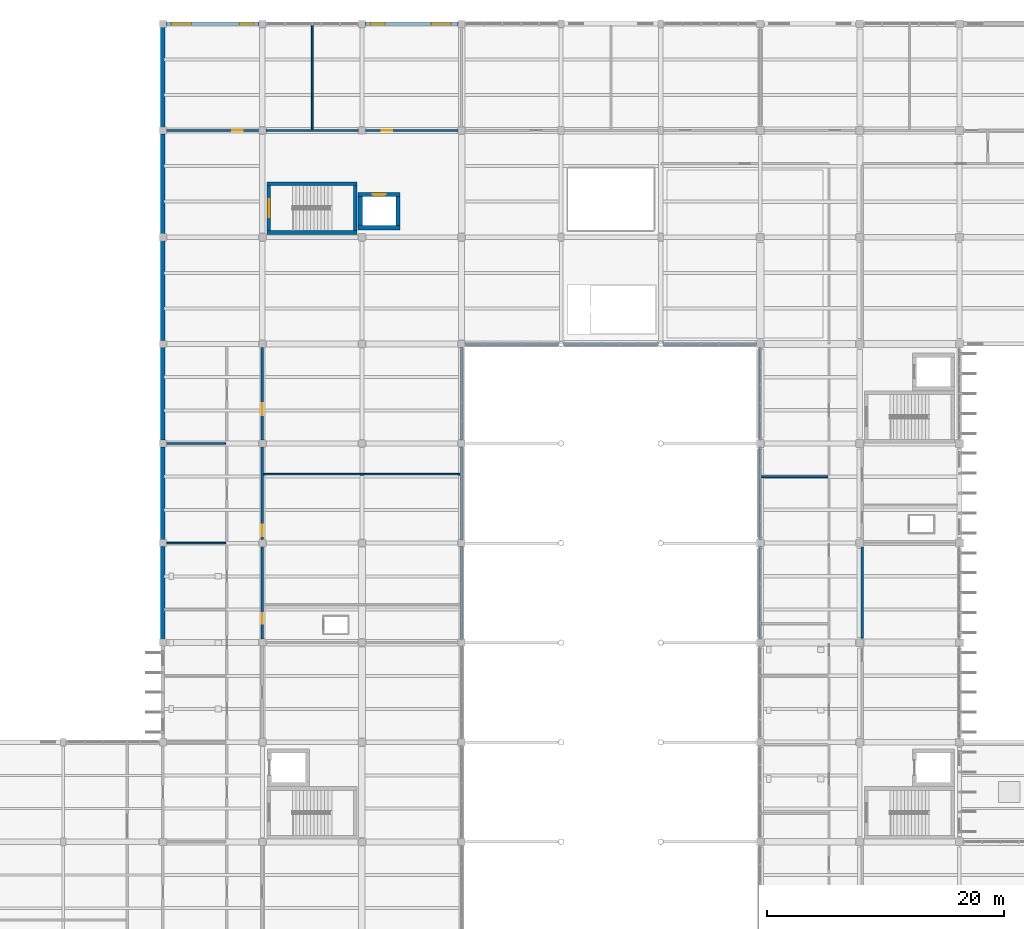
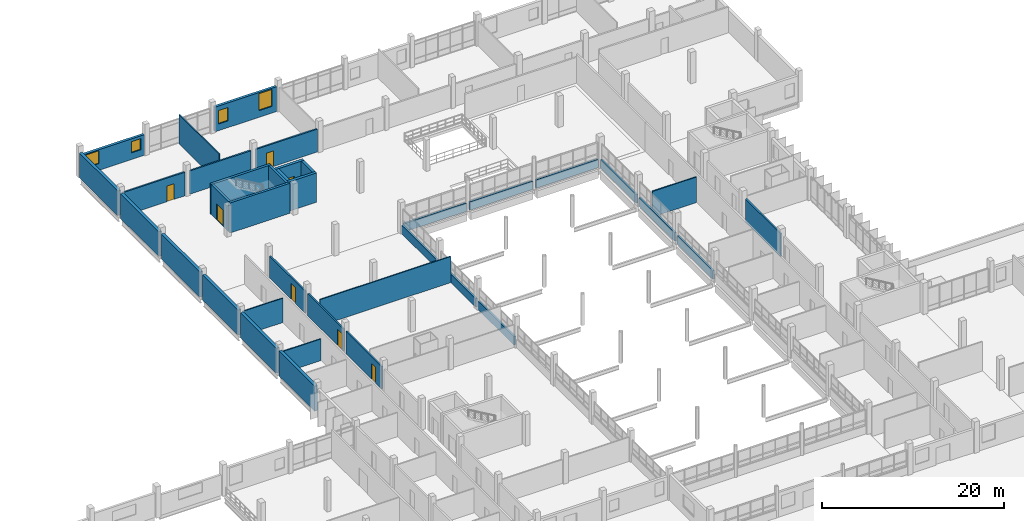
# One storey, part 88 of 101: 37 walls, 7 doors, 4 windows, 11 openings.
"""IFC4 building model written with IfcOpenShell, lengths in metres."""

from ifc_helpers import new_model, si_unit, direction, frame, frame_2d, origin, place, context, subcontext, project, spatial, rectangle, extrude, material, layer, layer_set, type_object, element, fill, save


model = new_model("IFC4")

# Units and contexts
model_context = context("Model", 3, precision=1e-05, world=origin(), true_north=direction((0.0, 1.0)))
body_context = subcontext(model_context, "Body", "Model", "MODEL_VIEW")
ifc_project = project(units=[si_unit("LENGTHUNIT", "METRE"), si_unit("AREAUNIT", "SQUARE_METRE"), si_unit("VOLUMEUNIT", "CUBIC_METRE"), si_unit("PLANEANGLEUNIT", "RADIAN"), si_unit("MASSUNIT", "GRAM", prefix="KILO")], contexts=[model_context])

# Site, building, storey
site_placement = place(None, origin())
site = spatial("IfcSite", under=ifc_project, at=site_placement, CompositionType="ELEMENT")
building_placement = place(site_placement, origin())
building = spatial("IfcBuilding", under=site, at=building_placement, Name="Vireocrest Preparatory School", CompositionType="ELEMENT")
storey_placement = place(building_placement, frame((0.0, 0.0, 4.800048828125)))
storey = spatial("IfcBuildingStorey", under=building, at=storey_placement, Name="L01", CompositionType="ELEMENT", Elevation=4.800048828125)

# Walls
ifc_material_1 = material(Name="Gypsum board on cold-formed steel studs", Category="steel")
ifc_layer_1 = layer(ifc_material_1, 0.139892578125)
ifc_layer_set_1 = layer_set([ifc_layer_1], Name="Gypsum board on cold-formed steel studs")
wall_type_1 = type_object("IfcWallType", Name="Classroom Acoustic Partition Wall 140", PredefinedType="PARTITIONING", material=ifc_layer_set_1)
wall_1_placement = place(storey_placement, frame((42.195068359375, 69.0, 0.0), z_axis=(0.0, 0.0, 1.0), x_axis=(1.0, 0.0, 0.0)))
element("IfcWall", 1, at=wall_1_placement, inside=storey, type_object=wall_type_1, Name="Interior Partition W03 IW_L01_0129", PredefinedType="PARTITIONING", context=body_context, shape_type="SweptSolid", body=[
    extrude(rectangle(XDim=5.099853515625, YDim=0.139892578125, at=frame_2d((2.5498046875, 0.0))), origin(), (0.0, 0.0, 1.0), 2.909912109375),
])
wall_2_placement = place(storey_placement, frame((42.195068359375, 77.39990234375, 0.0), z_axis=(0.0, 0.0, 1.0), x_axis=(1.0, 0.0, 0.0)))
element("IfcWall", 2, at=wall_2_placement, inside=storey, type_object=wall_type_1, Name="Interior Partition W03 IW_L01_0130", PredefinedType="PARTITIONING", context=body_context, shape_type="SweptSolid", body=[
    extrude(rectangle(XDim=5.099853515625, YDim=0.139892578125, at=frame_2d((2.5498046875, 0.0))), origin(), (0.0, 0.0, 1.0), 3.260009765625),
])
wall_3_placement = place(storey_placement, frame((50.5048828125, 74.800048828125, 0.0), z_axis=(0.0, 0.0, 1.0), x_axis=(1.0, 0.0, 0.0)))
element("IfcWall", 3, at=wall_3_placement, inside=storey, type_object=wall_type_1, Name="Interior Partition W03 IW_L01_0142", PredefinedType="PARTITIONING", context=body_context, shape_type="SweptSolid", body=[
    extrude(rectangle(XDim=16.570068359375, YDim=0.139892578125, at=frame_2d((8.28515625, 0.0))), origin(), (0.0, 0.0, 1.0), 3.510009765625),
])
wall_4_placement = place(storey_placement, frame((54.60009765625, 103.905029296875, 0.0), z_axis=(0.0, 0.0, 1.0), x_axis=(0.0, 1.0, 0.0)))
element("IfcWall", 4, at=wall_4_placement, inside=storey, type_object=wall_type_1, Name="Interior Partition W03 IW_L01_0148", PredefinedType="PARTITIONING", context=body_context, shape_type="SweptSolid", body=[
    extrude(rectangle(XDim=8.7900390625, YDim=0.139892578125, at=frame_2d((4.39501953125, 0.0))), origin(), (0.0, 0.0, 1.0), 3.89990234375),
])

# Wall, opening, door
ifc_layer_2 = layer(ifc_material_1, 0.199951171875)
ifc_layer_set_2 = layer_set([ifc_layer_2], Name="Gypsum board on cold-formed steel studs")
wall_type_2 = type_object("IfcWallType", Name="Corridor One-Hour Fire Partition 200", PredefinedType="PARTITIONING", material=ifc_layer_set_2)
wall_5_placement = place(storey_placement, frame((50.39990234375, 60.909912109375, 0.0), z_axis=(0.0, 0.0, 1.0), x_axis=(0.0, 1.0, 0.0)))
wall_5 = element("IfcWall", 5, at=wall_5_placement, inside=storey, type_object=wall_type_2, Name="Interior Partition W06 IW_L01_0144", PredefinedType="PARTITIONING", context=body_context, shape_type="SweptSolid", body=[
    extrude(rectangle(XDim=7.780029296875, YDim=0.199951171875, at=frame_2d((3.89013671875, 0.0))), origin(), (0.0, 0.0, 1.0), 3.010009765625),
])
opening_1_placement = place(wall_5_placement, frame((1.2900390625, 0.0, 0.0)))
opening_1 = element("IfcOpeningElement", 6, at=opening_1_placement, cuts=wall_5, Name="Opening D-L01-W1EN02", PredefinedType="OPENING", context=body_context, shape_type="SweptSolid", body=[
    extrude(rectangle(XDim=0.89990234375, YDim=2.10009765625, at=frame_2d((0.449951171875, 1.050048828125))), frame((0.0, 0.10986328125, 0.0), z_axis=(0.0, -1.0, 0.0), x_axis=(1.0, 0.0, 0.0)), (0.0, 0.0, 1.0), 0.219970703125),
])
ifc_material_2 = material(Name="Solid-core architectural birch timber", Category="wood")
door_type_1 = type_object("IfcDoorType", Name="Office Timber Door 900x2100", OperationType="NOTDEFINED", PredefinedType="DOOR", material=ifc_material_2)
door_1_placement = place(opening_1_placement, origin())
door_1 = element("IfcDoor", 7, at=door_1_placement, inside=storey, type_object=door_type_1, Name="Interior Door D-L01-W1EN02", OperationType="SINGLE_SWING_RIGHT", OverallHeight=2.10009765625, OverallWidth=0.89990234375, PredefinedType="DOOR", context=body_context, shape_type="SweptSolid", body=[
    extrude(rectangle(XDim=0.89990234375, YDim=2.10009765625, at=frame_2d((0.449951171875, 1.050048828125))), frame((0.0, 0.02490234375, 0.0), z_axis=(0.0, -1.0, 0.0), x_axis=(1.0, 0.0, 0.0)), (0.0, 0.0, 1.0), 0.050048828125),
])
fill(opening_1, door_1)

wall_6_placement = place(storey_placement, frame((50.39990234375, 69.31005859375, 0.0), z_axis=(0.0, 0.0, 1.0), x_axis=(0.0, 1.0, 0.0)))
wall_6 = element("IfcWall", 8, at=wall_6_placement, inside=storey, type_object=wall_type_2, Name="Interior Partition W06 IW_L01_0145", PredefinedType="PARTITIONING", context=body_context, shape_type="SweptSolid", body=[
    extrude(rectangle(XDim=7.780029296875, YDim=0.199951171875, at=frame_2d((3.89013671875, 0.0))), origin(), (0.0, 0.0, 1.0), 2.9599609375),
])
opening_2_placement = place(wall_6_placement, frame((0.25, 0.0, 0.0)))
opening_2 = element("IfcOpeningElement", 9, at=opening_2_placement, cuts=wall_6, Name="Opening D-L01-W1EN03", PredefinedType="OPENING", context=body_context, shape_type="SweptSolid", body=[
    extrude(rectangle(XDim=1.0, YDim=2.14990234375, at=frame_2d((0.5, 1.074951171875))), frame((0.0, 0.10986328125, 0.0), z_axis=(0.0, -1.0, 0.0), x_axis=(1.0, 0.0, 0.0)), (0.0, 0.0, 1.0), 0.219970703125),
])
door_type_2 = type_object("IfcDoorType", Name="Classroom Acoustic Timber Door 1000x2150", OperationType="NOTDEFINED", PredefinedType="DOOR", material=ifc_material_2)
door_2_placement = place(opening_2_placement, origin())
door_2 = element("IfcDoor", 10, at=door_2_placement, inside=storey, type_object=door_type_2, Name="Interior Door D-L01-W1EN03", OperationType="SINGLE_SWING_LEFT", OverallHeight=2.14990234375, OverallWidth=1.0, PredefinedType="DOOR", context=body_context, shape_type="SweptSolid", body=[
    extrude(rectangle(XDim=1.0, YDim=2.14990234375, at=frame_2d((0.5, 1.074951171875))), frame((0.0, 0.02490234375, 0.0), z_axis=(0.0, -1.0, 0.0), x_axis=(1.0, 0.0, 0.0)), (0.0, 0.0, 1.0), 0.050048828125),
])
fill(opening_2, door_2)

wall_7_placement = place(storey_placement, frame((50.39990234375, 77.7099609375, 0.0), z_axis=(0.0, 0.0, 1.0), x_axis=(0.0, 1.0, 0.0)))
wall_7 = element("IfcWall", 11, at=wall_7_placement, inside=storey, type_object=wall_type_2, Name="Interior Partition W06 IW_L01_0146", PredefinedType="PARTITIONING", context=body_context, shape_type="SweptSolid", body=[
    extrude(rectangle(XDim=7.780029296875, YDim=0.199951171875, at=frame_2d((3.89013671875, 0.0))), origin(), (0.0, 0.0, 1.0), 2.909912109375),
])
opening_3_placement = place(wall_7_placement, frame((2.090087890625, 0.0, 0.0)))
opening_3 = element("IfcOpeningElement", 12, at=opening_3_placement, cuts=wall_7, Name="Opening D-L01-W1EN04", PredefinedType="OPENING", context=body_context, shape_type="SweptSolid", body=[
    extrude(rectangle(XDim=1.0, YDim=2.14990234375, at=frame_2d((0.5, 1.074951171875))), frame((0.0, 0.10986328125, 0.0), z_axis=(0.0, -1.0, 0.0), x_axis=(1.0, 0.0, 0.0)), (0.0, 0.0, 1.0), 0.219970703125),
])
door_3_placement = place(opening_3_placement, origin())
door_3 = element("IfcDoor", 13, at=door_3_placement, inside=storey, type_object=door_type_2, Name="Interior Door D-L01-W1EN04", OperationType="SINGLE_SWING_RIGHT", OverallHeight=2.14990234375, OverallWidth=1.0, PredefinedType="DOOR", context=body_context, shape_type="SweptSolid", body=[
    extrude(rectangle(XDim=1.0, YDim=2.14990234375, at=frame_2d((0.5, 1.074951171875))), frame((0.0, 0.02490234375, 0.0), z_axis=(0.0, -1.0, 0.0), x_axis=(1.0, 0.0, 0.0)), (0.0, 0.0, 1.0), 0.050048828125),
])
fill(opening_3, door_3)

wall_8_placement = place(storey_placement, frame((42.195068359375, 103.800048828125, 0.0), z_axis=(0.0, 0.0, 1.0), x_axis=(1.0, 0.0, 0.0)))
wall_8 = element("IfcWall", 14, at=wall_8_placement, inside=storey, type_object=wall_type_2, Name="Interior Partition W06 IW_L01_0153", PredefinedType="PARTITIONING", context=body_context, shape_type="SweptSolid", body=[
    extrude(rectangle(XDim=7.89501953125, YDim=0.199951171875, at=frame_2d((3.947509765625, 0.0))), origin(), (0.0, 0.0, 1.0), 3.169921875),
])
opening_4_placement = place(wall_8_placement, frame((5.655029296875, 0.0, 0.0)))
opening_4 = element("IfcOpeningElement", 15, at=opening_4_placement, cuts=wall_8, Name="Opening D-L01-N1N01", PredefinedType="OPENING", context=body_context, shape_type="SweptSolid", body=[
    extrude(rectangle(XDim=0.89990234375, YDim=2.10009765625, at=frame_2d((0.449951171875, 1.050048828125))), frame((0.0, 0.10986328125, 0.0), z_axis=(0.0, -1.0, 0.0), x_axis=(1.0, 0.0, 0.0)), (0.0, 0.0, 1.0), 0.219970703125),
])
door_4_placement = place(opening_4_placement, origin())
door_4 = element("IfcDoor", 16, at=door_4_placement, inside=storey, type_object=door_type_1, Name="Interior Door D-L01-N1N01", OperationType="SINGLE_SWING_RIGHT", OverallHeight=2.10009765625, OverallWidth=0.89990234375, PredefinedType="DOOR", context=body_context, shape_type="SweptSolid", body=[
    extrude(rectangle(XDim=0.89990234375, YDim=2.10009765625, at=frame_2d((0.449951171875, 1.050048828125))), frame((0.0, 0.02490234375, 0.0), z_axis=(0.0, -1.0, 0.0), x_axis=(1.0, 0.0, 0.0)), (0.0, 0.0, 1.0), 0.050048828125),
])
fill(opening_4, door_4)

# Wall
wall_9_placement = place(storey_placement, frame((50.7099609375, 103.800048828125, 0.0), z_axis=(0.0, 0.0, 1.0), x_axis=(1.0, 0.0, 0.0)))
element("IfcWall", 17, at=wall_9_placement, inside=storey, type_object=wall_type_2, Name="Interior Partition W06 IW_L01_0154", PredefinedType="PARTITIONING", context=body_context, shape_type="SweptSolid", body=[
    extrude(rectangle(XDim=7.780029296875, YDim=0.199951171875, at=frame_2d((3.89013671875, 0.0))), origin(), (0.0, 0.0, 1.0), 3.119873046875),
])

# Wall, opening, door
wall_10_placement = place(storey_placement, frame((59.110107421875, 103.800048828125, 0.0), z_axis=(0.0, 0.0, 1.0), x_axis=(1.0, 0.0, 0.0)))
wall_10 = element("IfcWall", 18, at=wall_10_placement, inside=storey, type_object=wall_type_2, Name="Interior Partition W06 IW_L01_0155", PredefinedType="PARTITIONING", context=body_context, shape_type="SweptSolid", body=[
    extrude(rectangle(XDim=7.77978515625, YDim=0.199951171875, at=frame_2d((3.889892578125, 0.0))), origin(), (0.0, 0.0, 1.0), 3.070068359375),
])
opening_5_placement = place(wall_10_placement, frame((1.340087890625, 0.0, 0.0)))
opening_5 = element("IfcOpeningElement", 19, at=opening_5_placement, cuts=wall_10, Name="Opening D-L01-N1N02", PredefinedType="OPENING", context=body_context, shape_type="SweptSolid", body=[
    extrude(rectangle(XDim=0.89990234375, YDim=2.10009765625, at=frame_2d((0.449951171875, 1.050048828125))), frame((0.0, 0.10986328125, 0.0), z_axis=(0.0, -1.0, 0.0), x_axis=(1.0, 0.0, 0.0)), (0.0, 0.0, 1.0), 0.219970703125),
])
door_5_placement = place(opening_5_placement, origin())
door_5 = element("IfcDoor", 20, at=door_5_placement, inside=storey, type_object=door_type_1, Name="Interior Door D-L01-N1N02", OperationType="SINGLE_SWING_LEFT", OverallHeight=2.10009765625, OverallWidth=0.89990234375, PredefinedType="DOOR", context=body_context, shape_type="SweptSolid", body=[
    extrude(rectangle(XDim=0.89990234375, YDim=2.10009765625, at=frame_2d((0.449951171875, 1.050048828125))), frame((0.0, 0.02490234375, 0.0), z_axis=(0.0, -1.0, 0.0), x_axis=(1.0, 0.0, 0.0)), (0.0, 0.0, 1.0), 0.050048828125),
])
fill(opening_5, door_5)

# Wall
wall_11_placement = place(storey_placement, frame((101.0, 60.93505859375, 0.0), z_axis=(0.0, 0.0, 1.0), x_axis=(0.0, 1.0, 0.0)))
element("IfcWall", 21, at=wall_11_placement, inside=storey, type_object=wall_type_2, Name="Interior Partition W06 IW_L01_0183", PredefinedType="PARTITIONING", context=body_context, shape_type="SweptSolid", body=[
    extrude(rectangle(XDim=7.72998046875, YDim=0.199951171875, at=frame_2d((3.864990234375, 0.0))), origin(), (0.0, 0.0, 1.0), 3.050048828125),
])

# Wall, openings, windows
ifc_material_3 = material(Name="Precast white concrete 40 MPa", Category="concrete")
ifc_layer_3 = layer(ifc_material_3, 0.320068359375)
ifc_layer_set_3 = layer_set([ifc_layer_3], Name="Precast white concrete 40 MPa")
wall_type_3 = type_object("IfcWallType", Name="High-Tech Insulated Rainscreen External Wall 320", PredefinedType="SOLIDWALL", material=ifc_layer_set_3)
wall_12_placement = place(storey_placement, frame((42.27490234375, 112.800048828125, 0.0), z_axis=(0.0, 0.0, 1.0), x_axis=(1.0, 0.0, 0.0)))
wall_12 = element("IfcWall", 22, at=wall_12_placement, inside=storey, type_object=wall_type_3, Name="External Wall W12 EW_L01_0165", PredefinedType="SOLIDWALL", context=body_context, shape_type="SweptSolid", body=[
    extrude(rectangle(XDim=7.85009765625, YDim=0.320068359375, at=frame_2d((3.925048828125, 0.0))), origin(), (0.0, 0.0, 1.0), 2.77001953125),
])
opening_6_placement = place(wall_12_placement, frame((0.449951171875, 0.0, 0.89990234375)))
opening_6 = element("IfcOpeningElement", 23, at=opening_6_placement, cuts=wall_12, Name="Opening WN07", PredefinedType="OPENING", context=body_context, shape_type="SweptSolid", body=[
    extrude(rectangle(XDim=1.679931640625, YDim=1.719970703125, at=frame_2d((0.83984375, 0.85986328125))), frame((0.0, 0.169921875, 0.0), z_axis=(0.0, -1.0, 0.0), x_axis=(1.0, 0.0, 0.0)), (0.0, 0.0, 1.0), 0.340087890625),
])
opening_7_placement = place(wall_12_placement, frame((6.199951171875, 0.0, 0.89990234375)))
opening_7 = element("IfcOpeningElement", 24, at=opening_7_placement, cuts=wall_12, Name="Opening WN01", PredefinedType="OPENING", context=body_context, shape_type="SweptSolid", body=[
    extrude(rectangle(XDim=1.199951171875, YDim=1.5, at=frame_2d((0.60009765625, 0.75))), frame((0.0, 0.169921875, 0.0), z_axis=(0.0, -1.0, 0.0), x_axis=(1.0, 0.0, 0.0)), (0.0, 0.0, 1.0), 0.340087890625),
])
ifc_material_4 = material(Name="Thermally broken aluminium EN AW-6063-T6", Category="aluminium")
window_type_1 = type_object("IfcWindowType", Name="Module Lab Window 1680x2400", PartitioningType="SINGLE_PANEL", PredefinedType="WINDOW", material=ifc_material_4)
window_1_placement = place(opening_6_placement, origin())
window_1 = element("IfcWindow", 25, at=window_1_placement, inside=storey, type_object=window_type_1, Name="Window W-L01-062 (WN07)", OverallHeight=1.719970703125, OverallWidth=1.679931640625, PartitioningType="SINGLE_PANEL", PredefinedType="WINDOW", context=body_context, shape_type="SweptSolid", body=[
    extrude(rectangle(XDim=1.679931640625, YDim=1.719970703125, at=frame_2d((0.83984375, 0.85986328125))), frame((0.0, 0.030029296875, 0.0), z_axis=(0.0, -1.0, 0.0), x_axis=(1.0, 0.0, 0.0)), (0.0, 0.0, 1.0), 0.06005859375),
])
fill(opening_6, window_1)
window_type_2 = type_object("IfcWindowType", Name="Office Punched Window 1200x1500", PartitioningType="SINGLE_PANEL", PredefinedType="WINDOW", material=ifc_material_4)
window_2_placement = place(opening_7_placement, origin())
window_2 = element("IfcWindow", 26, at=window_2_placement, inside=storey, type_object=window_type_2, Name="Window W-L01-063 (WN01)", OverallHeight=1.5, OverallWidth=1.199951171875, PartitioningType="SINGLE_PANEL", PredefinedType="WINDOW", context=body_context, shape_type="SweptSolid", body=[
    extrude(rectangle(XDim=1.199951171875, YDim=1.5, at=frame_2d((0.60009765625, 0.75))), frame((0.0, 0.030029296875, 0.0), z_axis=(0.0, -1.0, 0.0), x_axis=(1.0, 0.0, 0.0)), (0.0, 0.0, 1.0), 0.06005859375),
])
fill(opening_7, window_2)

wall_13_placement = place(storey_placement, frame((59.074951171875, 112.800048828125, 0.0), z_axis=(0.0, 0.0, 1.0), x_axis=(1.0, 0.0, 0.0)))
wall_13 = element("IfcWall", 27, at=wall_13_placement, inside=storey, type_object=wall_type_3, Name="External Wall W12 EW_L01_0167", PredefinedType="SOLIDWALL", context=body_context, shape_type="SweptSolid", body=[
    extrude(rectangle(XDim=7.85009765625, YDim=0.320068359375, at=frame_2d((3.925048828125, 0.0))), origin(), (0.0, 0.0, 1.0), 3.320068359375),
])
opening_8_placement = place(wall_13_placement, frame((0.449951171875, 0.0, 0.89990234375)))
opening_8 = element("IfcOpeningElement", 28, at=opening_8_placement, cuts=wall_13, Name="Opening WN02", PredefinedType="OPENING", context=body_context, shape_type="SweptSolid", body=[
    extrude(rectangle(XDim=1.199951171875, YDim=1.800048828125, at=frame_2d((0.60009765625, 0.89990234375))), frame((0.0, 0.169921875, 0.0), z_axis=(0.0, -1.0, 0.0), x_axis=(1.0, 0.0, 0.0)), (0.0, 0.0, 1.0), 0.340087890625),
])
opening_9_placement = place(wall_13_placement, frame((5.570068359375, 0.0, 0.89990234375)))
opening_9 = element("IfcOpeningElement", 29, at=opening_9_placement, cuts=wall_13, Name="Opening WN07", PredefinedType="OPENING", context=body_context, shape_type="SweptSolid", body=[
    extrude(rectangle(XDim=1.679931640625, YDim=2.27001953125, at=frame_2d((0.83984375, 1.135009765625))), frame((0.0, 0.169921875, 0.0), z_axis=(0.0, -1.0, 0.0), x_axis=(1.0, 0.0, 0.0)), (0.0, 0.0, 1.0), 0.340087890625),
])
window_type_3 = type_object("IfcWindowType", Name="Counseling Window 1200x1800", PartitioningType="SINGLE_PANEL", PredefinedType="WINDOW", material=ifc_material_4)
window_3_placement = place(opening_8_placement, origin())
window_3 = element("IfcWindow", 30, at=window_3_placement, inside=storey, type_object=window_type_3, Name="Window W-L01-064 (WN02)", OverallHeight=1.800048828125, OverallWidth=1.199951171875, PartitioningType="SINGLE_PANEL", PredefinedType="WINDOW", context=body_context, shape_type="SweptSolid", body=[
    extrude(rectangle(XDim=1.199951171875, YDim=1.800048828125, at=frame_2d((0.60009765625, 0.89990234375))), frame((0.0, 0.030029296875, 0.0), z_axis=(0.0, -1.0, 0.0), x_axis=(1.0, 0.0, 0.0)), (0.0, 0.0, 1.0), 0.06005859375),
])
fill(opening_8, window_3)
window_4_placement = place(opening_9_placement, origin())
window_4 = element("IfcWindow", 31, at=window_4_placement, inside=storey, type_object=window_type_1, Name="Window W-L01-065 (WN07)", OverallHeight=2.27001953125, OverallWidth=1.679931640625, PartitioningType="SINGLE_PANEL", PredefinedType="WINDOW", context=body_context, shape_type="SweptSolid", body=[
    extrude(rectangle(XDim=1.679931640625, YDim=2.27001953125, at=frame_2d((0.83984375, 1.135009765625))), frame((0.0, 0.030029296875, 0.0), z_axis=(0.0, -1.0, 0.0), x_axis=(1.0, 0.0, 0.0)), (0.0, 0.0, 1.0), 0.06005859375),
])
fill(opening_9, window_4)

# Walls
ifc_layer_4 = layer(ifc_material_1, 0.159912109375)
ifc_layer_set_4 = layer_set([ifc_layer_4], Name="Gypsum board on cold-formed steel studs")
wall_type_4 = type_object("IfcWallType", Name="Laboratory Wet-Service Partition Wall 160", PredefinedType="PARTITIONING", material=ifc_layer_set_4)
wall_14_placement = place(storey_placement, frame((92.52490234375, 74.60009765625, 0.0), z_axis=(0.0, 0.0, 1.0), x_axis=(1.0, 0.0, 0.0)))
element("IfcWall", 32, at=wall_14_placement, inside=storey, type_object=wall_type_4, Name="Interior Partition W04 IW_L01_0174", PredefinedType="PARTITIONING", context=body_context, shape_type="SweptSolid", body=[
    extrude(rectangle(XDim=5.570068359375, YDim=0.159912109375, at=frame_2d((2.78515625, 0.0))), origin(), (0.0, 0.0, 1.0), 3.419921875),
])
ifc_material_5 = material(Name="Concrete 45 MPa", Category="concrete")
ifc_layer_5 = layer(ifc_material_5, 0.35009765625)
ifc_layer_set_5 = layer_set([ifc_layer_5], Name="Concrete 45 MPa")
wall_type_5 = type_object("IfcWallType", Name="Two-Hour RC Lift Core Shear Wall 350", PredefinedType="SHEAR", material=ifc_layer_set_5)
wall_15_placement = place(storey_placement, frame((58.47509765625, 95.60009765625, 0.0), z_axis=(0.0, 0.0, 1.0), x_axis=(1.0, 0.0, 0.0)))
element("IfcWall", 33, at=wall_15_placement, inside=storey, type_object=wall_type_5, Name="Lift Core Shear Wall LF3 L01-S", PredefinedType="SHEAR", context=body_context, shape_type="SweptSolid", body=[
    extrude(rectangle(XDim=3.5498046875, YDim=0.35009765625, at=frame_2d((1.77490234375, 0.0))), origin(), (0.0, 0.0, 1.0), 3.919921875),
])

# Wall, opening, door
wall_16_placement = place(storey_placement, frame((58.47509765625, 98.39990234375, 0.0), z_axis=(0.0, 0.0, 1.0), x_axis=(1.0, 0.0, 0.0)))
wall_16 = element("IfcWall", 34, at=wall_16_placement, inside=storey, type_object=wall_type_5, Name="Lift Core Shear Wall LF3 L01-N", PredefinedType="SHEAR", context=body_context, shape_type="SweptSolid", body=[
    extrude(rectangle(XDim=3.5498046875, YDim=0.35009765625, at=frame_2d((1.77490234375, 0.0))), origin(), (0.0, 0.0, 1.0), 3.919921875),
])
opening_10_placement = place(wall_16_placement, frame((1.22509765625, 0.0, 0.0)))
opening_10 = element("IfcOpeningElement", 35, at=opening_10_placement, cuts=wall_16, Name="Opening LD-LF3-L01", PredefinedType="OPENING", context=body_context, shape_type="SweptSolid", body=[
    extrude(rectangle(XDim=1.10009765625, YDim=2.199951171875, at=frame_2d((0.550048828125, 1.10009765625))), frame((0.0, 0.18505859375, 0.0), z_axis=(0.0, -1.0, 0.0), x_axis=(1.0, 0.0, 0.0)), (0.0, 0.0, 1.0), 0.3701171875),
])
ifc_material_6 = material(Name="Painted galvanized hollow steel", Category="steel")
door_type_3 = type_object("IfcDoorType", Name="Lift Landing Sliding Door 1100x2200", OperationType="DOUBLE_DOOR_SLIDING", PredefinedType="DOOR", material=ifc_material_6)
door_6_placement = place(opening_10_placement, origin())
door_6 = element("IfcDoor", 36, at=door_6_placement, inside=storey, type_object=door_type_3, Name="Lift Landing Door LD-LF3-L01", OperationType="DOUBLE_DOOR_SLIDING", OverallHeight=2.199951171875, OverallWidth=1.10009765625, PredefinedType="DOOR", context=body_context, shape_type="SweptSolid", body=[
    extrude(rectangle(XDim=1.10009765625, YDim=2.199951171875, at=frame_2d((0.550048828125, 1.10009765625))), frame((0.0, 0.02490234375, 0.0), z_axis=(0.0, -1.0, 0.0), x_axis=(1.0, 0.0, 0.0)), (0.0, 0.0, 1.0), 0.050048828125),
])
fill(opening_10, door_6)

# Walls
for number, where, z_axis, x_axis, name in (
    (37, (58.64990234375, 95.77490234375, 0.0), (0.0, 0.0, 1.0), (0.0, 1.0, 0.0), "Lift Core Shear Wall LF3 L01-W"),
    (38, (61.85009765625, 95.77490234375, 0.0), (0.0, 0.0, 1.0), (0.0, 1.0, 0.0), "Lift Core Shear Wall LF3 L01-E"),
):
    element("IfcWall", number, at=place(storey_placement, frame(where, z_axis=z_axis, x_axis=x_axis)), inside=storey, type_object=wall_type_5, Name=name, PredefinedType="SHEAR", context=body_context, shape_type="SweptSolid", body=[
        extrude(rectangle(XDim=2.4501953125, YDim=0.35009765625, at=frame_2d((1.22509765625, 0.0))), origin(), (0.0, 0.0, 1.0), 3.919921875),
    ])
ifc_layer_6 = layer(ifc_material_5, 0.3798828125)
ifc_layer_set_6 = layer_set([ifc_layer_6], Name="Concrete 45 MPa")
wall_type_6 = type_object("IfcWallType", Name="Two-Hour RC Lot-Line Shear Wall 380", PredefinedType="SHEAR", material=ifc_layer_set_6)
wall_17_placement = place(storey_placement, frame((42.0, 86.074951171875, 0.0), z_axis=(0.0, 0.0, 1.0), x_axis=(0.0, 1.0, 0.0)))
element("IfcWall", 39, at=wall_17_placement, inside=storey, type_object=wall_type_6, Name="External Wall PW1 PARTY_L01_0174", PredefinedType="SHEAR", context=body_context, shape_type="SweptSolid", body=[
    extrude(rectangle(XDim=8.449951171875, YDim=0.3798828125, at=frame_2d((4.22509765625, 0.0))), origin(), (0.0, 0.0, 1.0), 3.3720703125),
])
for number, where, z_axis, x_axis, name in (
    (40, (42.0, 95.074951171875, 0.0), (0.0, 0.0, 1.0), (0.0, 1.0, 0.0), "External Wall PW1 PARTY_L01_0175"),
    (41, (42.0, 104.074951171875, 0.0), (0.0, 0.0, 1.0), (0.0, 1.0, 0.0), "External Wall PW1 PARTY_L01_0176"),
):
    element("IfcWall", number, at=place(storey_placement, frame(where, z_axis=z_axis, x_axis=x_axis)), inside=storey, type_object=wall_type_6, Name=name, PredefinedType="SHEAR", context=body_context, shape_type="SweptSolid", body=[
        extrude(rectangle(XDim=8.449951171875, YDim=0.3798828125, at=frame_2d((4.22509765625, 0.0))), origin(), (0.0, 0.0, 1.0), 3.31201171875),
    ])
for number, where, z_axis, x_axis, name in (
    (42, (42.0, 60.875, 0.0), (0.0, 0.0, 1.0), (0.0, 1.0, 0.0), "External Wall PW1 PARTY_L01_0178"),
    (43, (42.0, 69.27490234375, 0.0), (0.0, 0.0, 1.0), (0.0, 1.0, 0.0), "External Wall PW1 PARTY_L01_0179"),
):
    element("IfcWall", number, at=place(storey_placement, frame(where, z_axis=z_axis, x_axis=x_axis)), inside=storey, type_object=wall_type_6, Name=name, PredefinedType="SHEAR", context=body_context, shape_type="SweptSolid", body=[
        extrude(rectangle(XDim=7.85009765625, YDim=0.3798828125, at=frame_2d((3.925048828125, 0.0))), origin(), (0.0, 0.0, 1.0), 3.35205078125),
    ])
wall_18_placement = place(storey_placement, frame((42.0, 77.675048828125, 0.0), z_axis=(0.0, 0.0, 1.0), x_axis=(0.0, 1.0, 0.0)))
element("IfcWall", 44, at=wall_18_placement, inside=storey, type_object=wall_type_6, Name="External Wall PW1 PARTY_L01_0180", PredefinedType="SHEAR", context=body_context, shape_type="SweptSolid", body=[
    extrude(rectangle(XDim=7.849853515625, YDim=0.3798828125, at=frame_2d((3.9248046875, 0.0))), origin(), (0.0, 0.0, 1.0), 3.35205078125),
])
ifc_layer_7 = layer(ifc_material_5, 0.300048828125)
ifc_layer_set_7 = layer_set([ifc_layer_7], Name="Concrete 45 MPa")
wall_type_7 = type_object("IfcWallType", Name="Two-Hour RC Stair Shaft Shear Wall 300", PredefinedType="SHEAR", material=ifc_layer_set_7)
for number, where, z_axis, x_axis, name in (
    (45, (50.800048828125, 95.199951171875, 0.0), (0.0, 0.0, 1.0), (1.0, 0.0, 0.0), "Stair Core Shear Wall ST3 L01-S"),
    (46, (50.800048828125, 99.300048828125, 0.0), (0.0, 0.0, 1.0), (1.0, 0.0, 0.0), "Stair Core Shear Wall ST3 L01-N"),
):
    element("IfcWall", number, at=place(storey_placement, frame(where, z_axis=z_axis, x_axis=x_axis)), inside=storey, type_object=wall_type_7, Name=name, PredefinedType="SHEAR", context=body_context, shape_type="SweptSolid", body=[
        extrude(rectangle(XDim=7.599853515625, YDim=0.300048828125, at=frame_2d((3.7998046875, 0.0))), origin(), (0.0, 0.0, 1.0), 4.02490234375),
    ])

# Wall, opening, door
wall_19_placement = place(storey_placement, frame((50.949951171875, 95.35009765625, 0.0), z_axis=(0.0, 0.0, 1.0), x_axis=(0.0, 1.0, 0.0)))
wall_19 = element("IfcWall", 47, at=wall_19_placement, inside=storey, type_object=wall_type_7, Name="Stair Core Shear Wall ST3 L01-W", PredefinedType="SHEAR", context=body_context, shape_type="SweptSolid", body=[
    extrude(rectangle(XDim=3.7998046875, YDim=0.300048828125, at=frame_2d((1.89990234375, 0.0))), origin(), (0.0, 0.0, 1.0), 4.02490234375),
])
opening_11_placement = place(wall_19_placement, frame((1.14990234375, 0.0, 0.0)))
opening_11 = element("IfcOpeningElement", 48, at=opening_11_placement, cuts=wall_19, Name="Opening SD-ST3-L01", PredefinedType="OPENING", context=body_context, shape_type="SweptSolid", body=[
    extrude(rectangle(XDim=1.5, YDim=2.199951171875, at=frame_2d((0.75, 1.10009765625))), frame((0.0, 0.159912109375, 0.0), z_axis=(0.0, -1.0, 0.0), x_axis=(1.0, 0.0, 0.0)), (0.0, 0.0, 1.0), 0.320068359375),
])
door_type_4 = type_object("IfcDoorType", Name="Stair Enclosure Fire Door 1500x2200", OperationType="DOUBLE_DOOR_SINGLE_SWING", PredefinedType="DOOR", material=ifc_material_6)
door_7_placement = place(opening_11_placement, origin())
door_7 = element("IfcDoor", 49, at=door_7_placement, inside=storey, type_object=door_type_4, Name="Stair Enclosure Fire Door SD-ST3-L01", OperationType="DOUBLE_DOOR_SINGLE_SWING", OverallHeight=2.199951171875, OverallWidth=1.5, PredefinedType="DOOR", context=body_context, shape_type="SweptSolid", body=[
    extrude(rectangle(XDim=1.5, YDim=2.199951171875, at=frame_2d((0.75, 1.10009765625))), frame((0.0, 0.02490234375, 0.0), z_axis=(0.0, -1.0, 0.0), x_axis=(1.0, 0.0, 0.0)), (0.0, 0.0, 1.0), 0.050048828125),
])
fill(opening_11, door_7)

# Walls
wall_20_placement = place(storey_placement, frame((58.25, 95.35009765625, 0.0), z_axis=(0.0, 0.0, 1.0), x_axis=(0.0, 1.0, 0.0)))
element("IfcWall", 50, at=wall_20_placement, inside=storey, type_object=wall_type_7, Name="Stair Core Shear Wall ST3 L01-E", PredefinedType="SHEAR", context=body_context, shape_type="SweptSolid", body=[
    extrude(rectangle(XDim=3.7998046875, YDim=0.300048828125, at=frame_2d((1.89990234375, 0.0))), origin(), (0.0, 0.0, 1.0), 4.02490234375),
])
ifc_layer_8 = layer(ifc_material_3, 0.239990234375)
ifc_layer_set_8 = layer_set([ifc_layer_8], Name="Precast white concrete 40 MPa")
wall_type_8 = type_object("IfcWallType", Name="White Precast Courtyard Spandrel Wall 240", PredefinedType="SOLIDWALL", material=ifc_layer_set_8)
for number, where, z_axis, x_axis, name in (
    (51, (67.199951171875, 60.875, 0.0), (0.0, 0.0, 1.0), (0.0, 1.0, 0.0), "External Wall W08 EW_L01_0208"),
    (52, (67.199951171875, 69.27490234375, 0.0), (0.0, 0.0, 1.0), (0.0, 1.0, 0.0), "External Wall W08 EW_L01_0209"),
):
    element("IfcWall", number, at=place(storey_placement, frame(where, z_axis=z_axis, x_axis=x_axis)), inside=storey, type_object=wall_type_8, Name=name, PredefinedType="SOLIDWALL", context=body_context, shape_type="SweptSolid", body=[
        extrude(rectangle(XDim=7.85009765625, YDim=0.239990234375, at=frame_2d((3.925048828125, 0.0))), origin(), (0.0, 0.0, 1.0), 1.14990234375),
    ])
wall_21_placement = place(storey_placement, frame((67.199951171875, 77.675048828125, 0.0), z_axis=(0.0, 0.0, 1.0), x_axis=(0.0, 1.0, 0.0)))
element("IfcWall", 53, at=wall_21_placement, inside=storey, type_object=wall_type_8, Name="External Wall W08 EW_L01_0210", PredefinedType="SOLIDWALL", context=body_context, shape_type="SweptSolid", body=[
    extrude(rectangle(XDim=7.849853515625, YDim=0.239990234375, at=frame_2d((3.9248046875, 0.0))), origin(), (0.0, 0.0, 1.0), 1.14990234375),
])
wall_22_placement = place(storey_placement, frame((67.47509765625, 85.800048828125, 0.0), z_axis=(0.0, 0.0, 1.0), x_axis=(1.0, 0.0, 0.0)))
element("IfcWall", 54, at=wall_22_placement, inside=storey, type_object=wall_type_8, Name="External Wall W08 EW_L01_0211", PredefinedType="SOLIDWALL", context=body_context, shape_type="SweptSolid", body=[
    extrude(rectangle(XDim=7.92138671875, YDim=0.239990234375, at=frame_2d((3.960693359375, 0.0))), origin(), (0.0, 0.0, 1.0), 1.099853515625),
])
wall_23_placement = place(storey_placement, frame((75.8037109375, 85.800048828125, 0.0), z_axis=(0.0, 0.0, 1.0), x_axis=(1.0, 0.0, 0.0)))
element("IfcWall", 55, at=wall_23_placement, inside=storey, type_object=wall_type_8, Name="External Wall W08 EW_L01_0212", PredefinedType="SOLIDWALL", context=body_context, shape_type="SweptSolid", body=[
    extrude(rectangle(XDim=7.99267578125, YDim=0.239990234375, at=frame_2d((3.996337890625, 0.0))), origin(), (0.0, 0.0, 1.0), 1.099853515625),
])
wall_24_placement = place(storey_placement, frame((84.20361328125, 85.800048828125, 0.0), z_axis=(0.0, 0.0, 1.0), x_axis=(1.0, 0.0, 0.0)))
element("IfcWall", 56, at=wall_24_placement, inside=storey, type_object=wall_type_8, Name="External Wall W08 EW_L01_0213", PredefinedType="SOLIDWALL", context=body_context, shape_type="SweptSolid", body=[
    extrude(rectangle(XDim=7.896484375, YDim=0.239990234375, at=frame_2d((3.9482421875, 0.0))), origin(), (0.0, 0.0, 1.0), 1.099853515625),
])
for number, where, z_axis, x_axis, name in (
    (57, (92.39990234375, 60.89990234375, 0.0), (0.0, 0.0, 1.0), (0.0, 1.0, 0.0), "External Wall W08 EW_L01_0218"),
    (58, (92.39990234375, 69.300048828125, 0.0), (0.0, 0.0, 1.0), (0.0, 1.0, 0.0), "External Wall W08 EW_L01_0219"),
    (59, (92.39990234375, 77.699951171875, 0.0), (0.0, 0.0, 1.0), (0.0, 1.0, 0.0), "External Wall W08 EW_L01_0220"),
):
    element("IfcWall", number, at=place(storey_placement, frame(where, z_axis=z_axis, x_axis=x_axis)), inside=storey, type_object=wall_type_8, Name=name, PredefinedType="SOLIDWALL", context=body_context, shape_type="SweptSolid", body=[
        extrude(rectangle(XDim=7.800048828125, YDim=0.239990234375, at=frame_2d((3.89990234375, 0.0))), origin(), (0.0, 0.0, 1.0), 1.14990234375),
    ])

save(model, "model.ifc")
